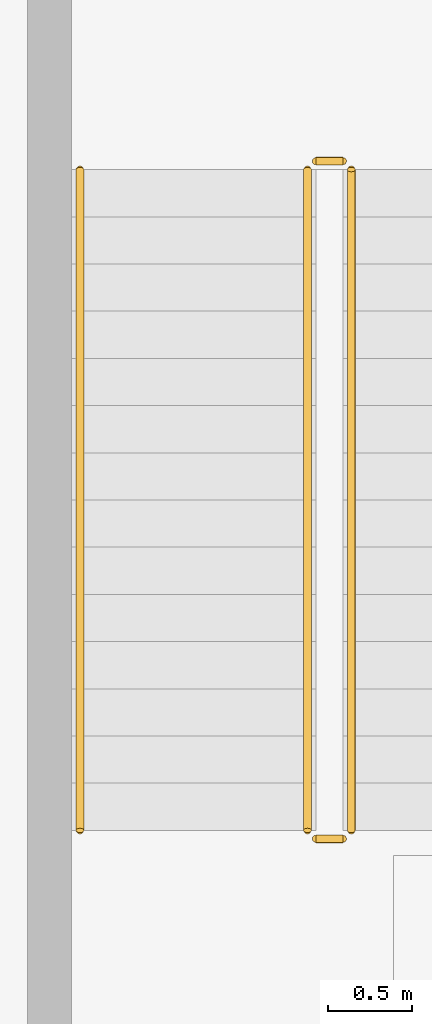
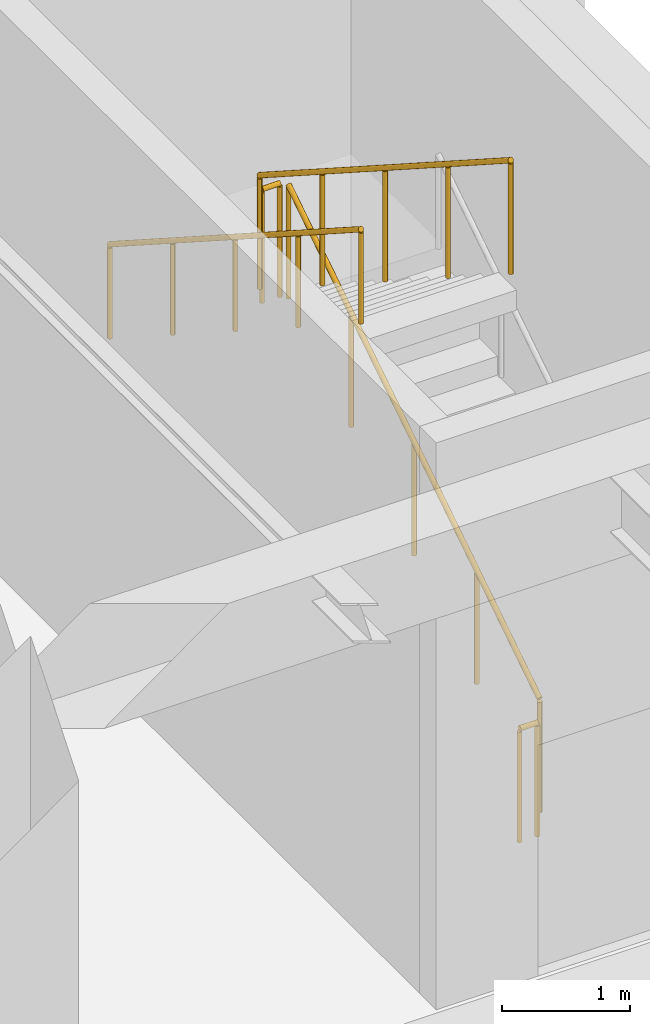
# One storey, part 34 of 44: 5 railings.
"""IFC4 building model written with IfcOpenShell, lengths in metres."""

from ifc_helpers import new_model, si_unit, direction, frame, origin, origin_2d, place, context, subcontext, project, spatial, circle, extrude, material, type_object, element, save


model = new_model("IFC4")

# Units and contexts
model_context = context("Model", 3, precision=1e-05, world=origin(), true_north=direction((0.0, 1.0)))
body_context = subcontext(model_context, "Body", "Model", "MODEL_VIEW")
ifc_project = project(units=[si_unit("LENGTHUNIT", "METRE"), si_unit("AREAUNIT", "SQUARE_METRE"), si_unit("VOLUMEUNIT", "CUBIC_METRE"), si_unit("PLANEANGLEUNIT", "RADIAN"), si_unit("MASSUNIT", "GRAM", prefix="KILO")], contexts=[model_context])

# Site, building, storey
site_placement = place(None, origin())
site = spatial("IfcSite", under=ifc_project, at=site_placement, CompositionType="ELEMENT")
building_placement = place(site_placement, origin())
building = spatial("IfcBuilding", under=site, at=building_placement, Name="Pecanmere Concourse Central Library", CompositionType="ELEMENT")
storey_placement = place(building_placement, frame((0.0, 0.0, -5.39990234375)))
storey = spatial("IfcBuildingStorey", under=building, at=storey_placement, Name="B1", CompositionType="ELEMENT", Elevation=-5.39990234375)

# Railings
ifc_material_1 = material(Name="Painted architectural steel ASTM A36", Category="steel")
railing_type_1 = type_object("IfcRailingType", Name="RAIL_STAIR_GUARD", PredefinedType="GUARDRAIL", material=ifc_material_1)
railing_1_placement = place(storey_placement, frame((61.89990234375, 58.0, 0.179931640625)))
element("IfcRailing", 1, at=railing_1_placement, inside=storey, type_object=railing_type_1, Name="B1 ST-06 Guard 1", PredefinedType="GUARDRAIL", context=body_context, shape_type="SweptSolid", body=[
    extrude(circle(Radius=0.02392578125, at=origin_2d()), frame((0.0, 0.0, 1.076171875), z_axis=(0.0, 0.841171666519, 0.540768182723), x_axis=(-1.0, 0.0, 0.0)), (0.0, 0.0, 1.0), 4.66015625),
    extrude(circle(Radius=0.02099609375, at=origin_2d()), origin(), (0.0, 0.0, 1.0), 1.052001953125),
    extrude(circle(Radius=0.02099609375, at=origin_2d()), frame((0.0, 0.97998046875, 0.6298828125)), (0.0, 0.0, 1.0), 1.052001953125),
    extrude(circle(Radius=0.02099609375, at=origin_2d()), frame((0.0, 1.9599609375, 1.260009765625)), (0.0, 0.0, 1.0), 1.052001953125),
    extrude(circle(Radius=0.02099609375, at=origin_2d()), frame((0.0, 2.93994140625, 1.89013671875)), (0.0, 0.0, 1.0), 1.052001953125),
    extrude(circle(Radius=0.02099609375, at=origin_2d()), frame((0.0, 3.919921875, 2.52001953125)), (0.0, 0.0, 1.0), 1.052001953125),
])
railing_2_placement = place(storey_placement, frame((61.85009765625, 61.969970703125, 2.699951171875)))
element("IfcRailing", 2, at=railing_2_placement, inside=storey, type_object=railing_type_1, Name="B1 ST-06 Guard 2", PredefinedType="GUARDRAIL", context=body_context, shape_type="SweptSolid", body=[
    extrude(circle(Radius=0.02392578125, at=origin_2d()), frame((0.0, 0.0, 1.076171875), z_axis=(-1.0, 0.0, 0.0), x_axis=(0.0, -1.0, 0.0)), (0.0, 0.0, 1.0), 0.16015625),
    extrude(circle(Radius=0.02099609375, at=origin_2d()), origin(), (0.0, 0.0, 1.0), 1.052001953125),
    extrude(circle(Radius=0.02099609375, at=origin_2d()), frame((-0.16015625, 0.0, 0.0)), (0.0, 0.0, 1.0), 1.052001953125),
])
railing_3_placement = place(storey_placement, frame((61.639892578125, 61.919921875, 2.8798828125)))
element("IfcRailing", 3, at=railing_3_placement, inside=storey, type_object=railing_type_1, Name="B1 ST-06 Guard 3", PredefinedType="GUARDRAIL", context=body_context, shape_type="SweptSolid", body=[
    extrude(circle(Radius=0.02392578125, at=origin_2d()), frame((0.0, 0.0, 1.076171875), z_axis=(0.0, -0.841171666519, 0.540768182723), x_axis=(1.0, 0.0, 0.0)), (0.0, 0.0, 1.0), 4.66015625),
    extrude(circle(Radius=0.02099609375, at=origin_2d()), origin(), (0.0, 0.0, 1.0), 1.052001953125),
    extrude(circle(Radius=0.02099609375, at=origin_2d()), frame((0.0, -0.97998046875, 0.6298828125)), (0.0, 0.0, 1.0), 1.052001953125),
    extrude(circle(Radius=0.02099609375, at=origin_2d()), frame((0.0, -1.9599609375, 1.260009765625)), (0.0, 0.0, 1.0), 1.052001953125),
    extrude(circle(Radius=0.02099609375, at=origin_2d()), frame((0.0, -2.93994140625, 1.89013671875)), (0.0, 0.0, 1.0), 1.052001953125),
    extrude(circle(Radius=0.02099609375, at=origin_2d()), frame((0.0, -3.919921875, 2.52001953125)), (0.0, 0.0, 1.0), 1.052001953125),
])
railing_4_placement = place(storey_placement, frame((61.85009765625, 57.949951171875, 0.0)))
element("IfcRailing", 4, at=railing_4_placement, inside=storey, type_object=railing_type_1, Name="B1 ST-06 Guard 4", PredefinedType="GUARDRAIL", context=body_context, shape_type="SweptSolid", body=[
    extrude(circle(Radius=0.02392578125, at=origin_2d()), frame((0.0, 0.0, 1.076171875), z_axis=(-1.0, 0.0, 0.0), x_axis=(0.0, -1.0, 0.0)), (0.0, 0.0, 1.0), 0.16015625),
    extrude(circle(Radius=0.02099609375, at=origin_2d()), origin(), (0.0, 0.0, 1.0), 1.052001953125),
    extrude(circle(Radius=0.02099609375, at=origin_2d()), frame((-0.16015625, 0.0, 0.0)), (0.0, 0.0, 1.0), 1.052001953125),
])
ifc_material_2 = material(Name="Brushed stainless steel Grade 316", Category="steel")
railing_type_2 = type_object("IfcRailingType", Name="RAIL_STAIR_HR", PredefinedType="HANDRAIL", material=ifc_material_2)
railing_5_placement = place(storey_placement, frame((60.2900390625, 61.919921875, 2.8798828125)))
element("IfcRailing", 5, at=railing_5_placement, inside=storey, type_object=railing_type_2, Name="B1 ST-06 Handrail 2", PredefinedType="HANDRAIL", context=body_context, shape_type="SweptSolid", body=[
    extrude(circle(Radius=0.02392578125, at=origin_2d()), frame((0.0, 0.0, 0.89111328125), z_axis=(0.0, -0.841171666519, 0.540768182723), x_axis=(1.0, 0.0, 0.0)), (0.0, 0.0, 1.0), 4.66015625),
    extrude(circle(Radius=0.02099609375, at=origin_2d()), origin(), (0.0, 0.0, 1.0), 0.866943359375),
    extrude(circle(Radius=0.02099609375, at=origin_2d()), frame((0.0, -0.97998046875, 0.6298828125)), (0.0, 0.0, 1.0), 0.866943359375),
    extrude(circle(Radius=0.02099609375, at=origin_2d()), frame((0.0, -1.9599609375, 1.260009765625)), (0.0, 0.0, 1.0), 0.866943359375),
    extrude(circle(Radius=0.02099609375, at=origin_2d()), frame((0.0, -2.93994140625, 1.89013671875)), (0.0, 0.0, 1.0), 0.866943359375),
    extrude(circle(Radius=0.02099609375, at=origin_2d()), frame((0.0, -3.919921875, 2.52001953125)), (0.0, 0.0, 1.0), 0.866943359375),
])

save(model, "model.ifc")
